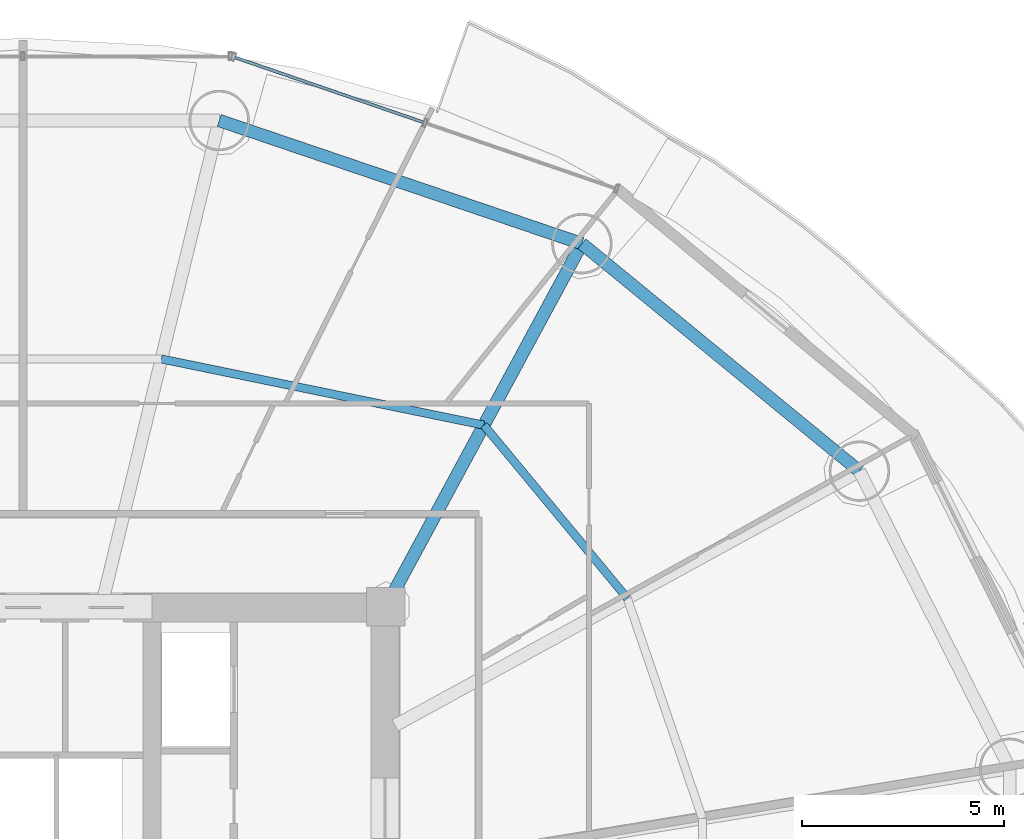
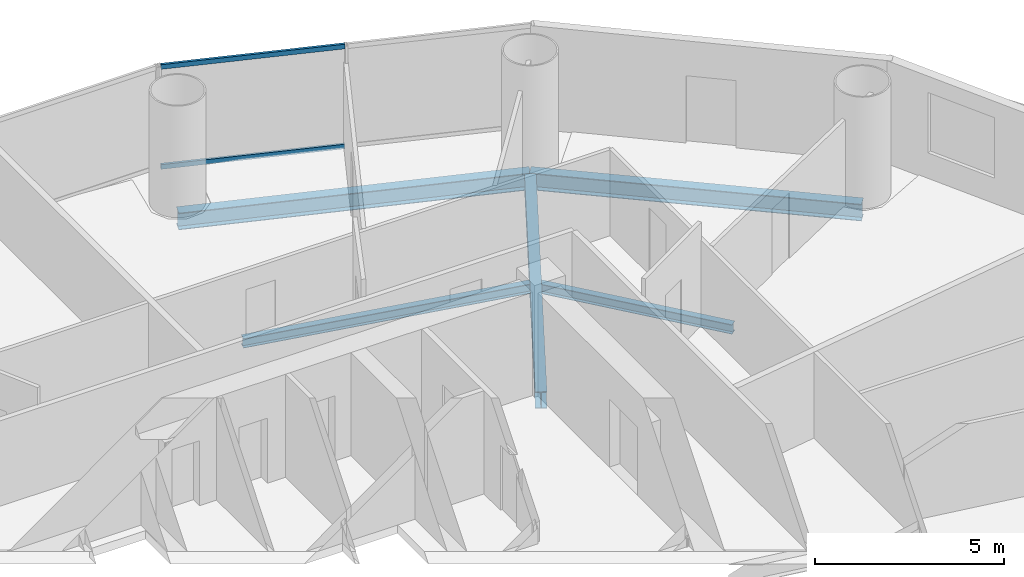
# One storey, part 19 of 29: 5 beams, 2 members, 1 element without a shape of its own.
"""IFC4 building model written with IfcOpenShell, lengths in metres."""

from ifc_helpers import new_model, si_unit, direction, frame, origin, origin_2d, place, context, subcontext, project, spatial, hollow_rectangle, i_section, extrude, source, transform, mapped, material, material_profile, profile_set, type_object, element, aggregate, save


model = new_model("IFC4")

# Units and contexts
model_context = context("Model", 3, precision=1e-05, world=origin(), true_north=direction((-0.2419218956, 0.970295726276)))
body_context = subcontext(model_context, "Body", "Model", "MODEL_VIEW")
ifc_project = project(units=[si_unit("LENGTHUNIT", "METRE"), si_unit("AREAUNIT", "SQUARE_METRE"), si_unit("VOLUMEUNIT", "CUBIC_METRE"), si_unit("PLANEANGLEUNIT", "RADIAN"), si_unit("MASSUNIT", "GRAM", prefix="KILO")], contexts=[model_context])

# Site, building, storey
site_placement = place(None, origin())
site = spatial("IfcSite", under=ifc_project, at=site_placement, CompositionType="ELEMENT")
building_placement = place(site_placement, origin())
building = spatial("IfcBuilding", under=site, at=building_placement, Name="Cobrevalo Terracotta Tower", CompositionType="ELEMENT")
storey_placement = place(building_placement, frame((0.0, 0.0, 83.39990234375)))
storey = spatial("IfcBuildingStorey", under=building, at=storey_placement, Name="L21", CompositionType="ELEMENT", Elevation=83.39990234375)

# Beams
ifc_material_1 = material(Name="Steel S355", Category="steel")
ifc_material_profile_1 = material_profile(ifc_material_1, i_section(OverallWidth=0.31201171875, OverallDepth=0.54296875, WebThickness=0.0126953125, FlangeThickness=0.020263671875, at=origin_2d()), Name="W 530x150")
ifc_profile_set_1 = profile_set([ifc_material_profile_1], Name="Steel S355")
beam_type_1 = type_object("IfcBeamType", Name="Structural Beam W 530x150 (Steel S355)", PredefinedType="BEAM", material=ifc_profile_set_1)
beam_1_placement = place(storey_placement, frame((51.861572265625, 43.803466796875, -0.54638671875), z_axis=(-0.475128224431, -0.879916570107, 0.0), x_axis=(0.879916570107, -0.475128224431, 0.0)))
element("IfcBeam", 1, at=beam_1_placement, inside=storey, type_object=beam_type_1, Name="L21 radial floor girder 03", PredefinedType="BEAM", context=body_context, shape_type="SweptSolid", body=[
    extrude(i_section(OverallWidth=0.31201171875, OverallDepth=0.54296875, WebThickness=0.0126953125, FlangeThickness=0.020263671875, at=origin_2d()), origin(), (0.0, 0.0, 1.0), 10.232177734375),
])
ifc_material_profile_2 = material_profile(ifc_material_1, i_section(OverallWidth=0.2041015625, OverallDepth=0.305908203125, WebThickness=0.008544921875, FlangeThickness=0.0146484375, at=origin_2d()), Name="W 310x67")
ifc_profile_set_2 = profile_set([ifc_material_profile_2], Name="Steel S355")
beam_type_2 = type_object("IfcBeamType", Name="Structural Joist W 310x67 (Steel S355)", PredefinedType="JOIST", material=ifc_profile_set_2)
beam_2_placement = place(storey_placement, frame((52.987548828125, 35.00830078125, -0.427978515625), z_axis=(-0.6379592588, 0.77007011636, 0.0), x_axis=(-0.77007011636, -0.6379592588, 0.0)))
element("IfcBeam", 2, at=beam_2_placement, inside=storey, type_object=beam_type_2, Name="L21 circumferential secondary floor joist 02", PredefinedType="JOIST", context=body_context, shape_type="SweptSolid", body=[
    extrude(i_section(OverallWidth=0.2041015625, OverallDepth=0.305908203125, WebThickness=0.008544921875, FlangeThickness=0.0146484375, at=origin_2d()), origin(), (0.0, 0.0, 1.0), 5.575439453125),
])
beam_3_placement = place(storey_placement, frame((49.4306640625, 39.3017578125, -0.427978515625), z_axis=(-0.979574469315, 0.201081722357, 0.0), x_axis=(-0.201081722357, -0.979574469315, 0.0)))
element("IfcBeam", 3, at=beam_3_placement, inside=storey, type_object=beam_type_2, Name="L21 circumferential secondary floor joist 03", PredefinedType="JOIST", context=body_context, shape_type="SweptSolid", body=[
    extrude(i_section(OverallWidth=0.2041015625, OverallDepth=0.305908203125, WebThickness=0.008544921875, FlangeThickness=0.0146484375, at=origin_2d()), origin(), (0.0, 0.0, 1.0), 8.1650390625),
])
ifc_material_profile_3 = material_profile(ifc_material_1, i_section(OverallWidth=0.31201171875, OverallDepth=0.54296875, WebThickness=0.0126953125, FlangeThickness=0.020263671875, at=origin_2d()), Name="W 530x150")
ifc_profile_set_3 = profile_set([ifc_material_profile_3], Name="Steel S355")
beam_type_3 = type_object("IfcBeamType", Name="Structural Spandrel W 530x150 (Steel S355)", PredefinedType="SPANDREL", material=ifc_profile_set_3)
beam_4_placement = place(storey_placement, frame((58.7451171875, 38.161376953125, -0.54638671875), z_axis=(-0.773400923541, 0.633917196064, 0.0), x_axis=(-0.633917196064, -0.773400923541, 0.0)))
element("IfcBeam", 4, at=beam_4_placement, inside=storey, type_object=beam_type_3, Name="L21 perimeter ring spandrel 02", PredefinedType="SPANDREL", context=body_context, shape_type="SweptSolid", body=[
    extrude(i_section(OverallWidth=0.31201171875, OverallDepth=0.54296875, WebThickness=0.0126953125, FlangeThickness=0.020263671875, at=origin_2d()), origin(), (0.0, 0.0, 1.0), 8.900390625),
])
beam_5_placement = place(storey_placement, frame((51.861572265625, 43.803466796875, -0.54638671875), z_axis=(-0.946910528816, 0.32149720126, 0.0), x_axis=(-0.32149720126, -0.946910528816, 0.0)))
element("IfcBeam", 5, at=beam_5_placement, inside=storey, type_object=beam_type_3, Name="L21 perimeter ring spandrel 03", PredefinedType="SPANDREL", context=body_context, shape_type="SweptSolid", body=[
    extrude(i_section(OverallWidth=0.31201171875, OverallDepth=0.54296875, WebThickness=0.0126953125, FlangeThickness=0.020263671875, at=origin_2d()), origin(), (0.0, 0.0, 1.0), 9.498291015625),
])

# Curtain wall, members
ifc_material_2 = material(Name="Anodized aluminium", Category="aluminium")
curtain_wall_type = type_object("IfcCurtainWallType", Name="Lower-tower unitised acoustic low-E curtain wall CW-U1", PredefinedType="NOTDEFINED", material=ifc_material_2)
curtain_wall_placement = place(storey_placement, origin())
curtain_wall = element("IfcCurtainWall", 6, at=curtain_wall_placement, inside=storey, type_object=curtain_wall_type, Name="L21 curtain wall CW-L21-S03", PredefinedType="NOTDEFINED")
ifc_material_profile_4 = material_profile(ifc_material_2, hollow_rectangle(XDim=0.074951171875, YDim=0.14990234375, WallThickness=0.00439453125, at=origin_2d()), Name="CWT 75x150")
ifc_profile_set_4 = profile_set([ifc_material_profile_4], Name="Anodized aluminium")
member_type = type_object("IfcMemberType", Name="Tower unitised aluminium transom 75x150", PredefinedType="USERDEFINED", material=ifc_profile_set_4)
shared_shape = source(origin(), body_context, "Body", "SweptSolid", [
    extrude(hollow_rectangle(XDim=0.074951171875, YDim=0.14990234375, WallThickness=0.00439453125, at=origin_2d()), origin(), (0.0, 0.0, 1.0), 4.944580078125),
])
member_1_placement = place(storey_placement, frame((47.934814453125, 46.811279296875, 0.050048828125), z_axis=(-0.945597859971, 0.32533780478, 0.0), x_axis=(-0.32533780478, -0.945597859971, 0.0)))
member_1 = element("IfcMember", 7, at=member_1_placement, type_object=member_type, Name="CW-L21-S03 transom B02-T1", ObjectType="TRANSOM", PredefinedType="USERDEFINED", context=body_context, shape_type="MappedRepresentation", body=[
    mapped(shared_shape, transform((0.0, 0.0, 0.0), scale=1.0)),
])
member_2_placement = place(storey_placement, frame((47.934814453125, 46.811279296875, 3.275146484375), z_axis=(-0.945597859971, 0.32533780478, 0.0), x_axis=(-0.32533780478, -0.945597859971, 0.0)))
member_2 = element("IfcMember", 8, at=member_2_placement, type_object=member_type, Name="CW-L21-S03 transom B02-T2", ObjectType="TRANSOM", PredefinedType="USERDEFINED", context=body_context, shape_type="MappedRepresentation", body=[
    mapped(shared_shape, transform((0.0, 0.0, 0.0), scale=1.0)),
])
aggregate(curtain_wall, [member_1, member_2])

save(model, "model.ifc")
